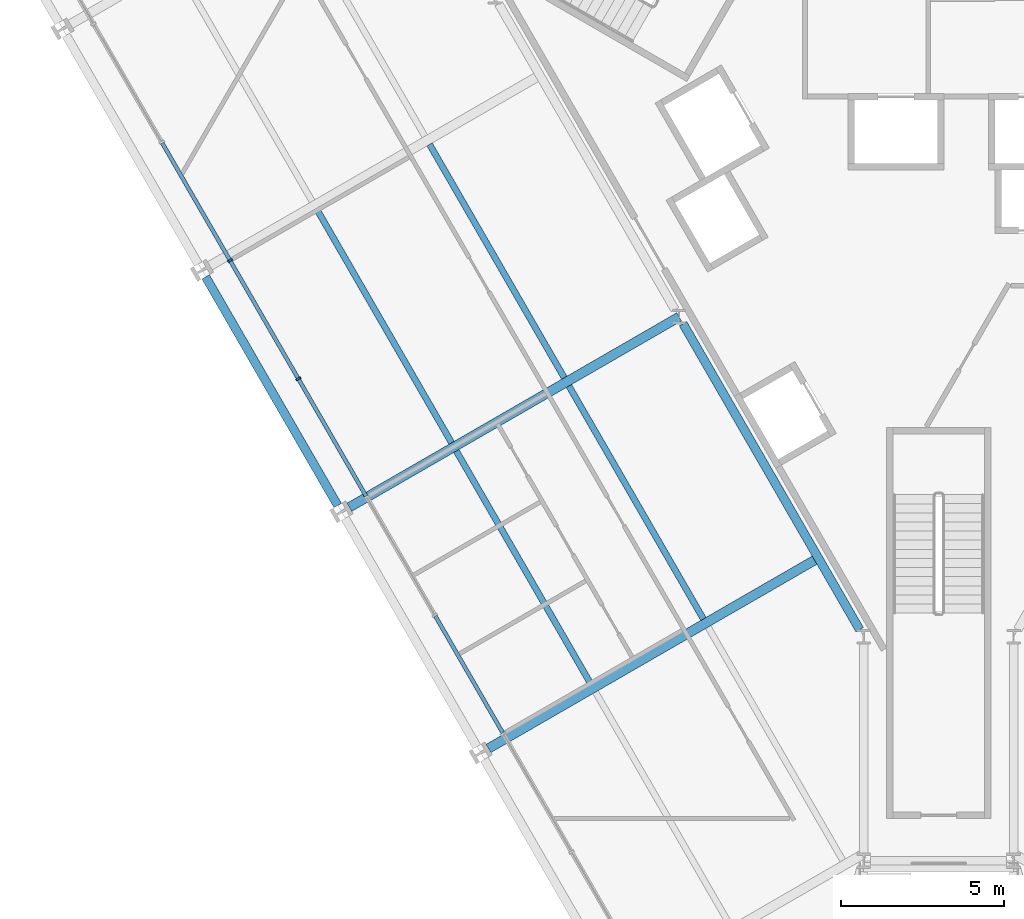
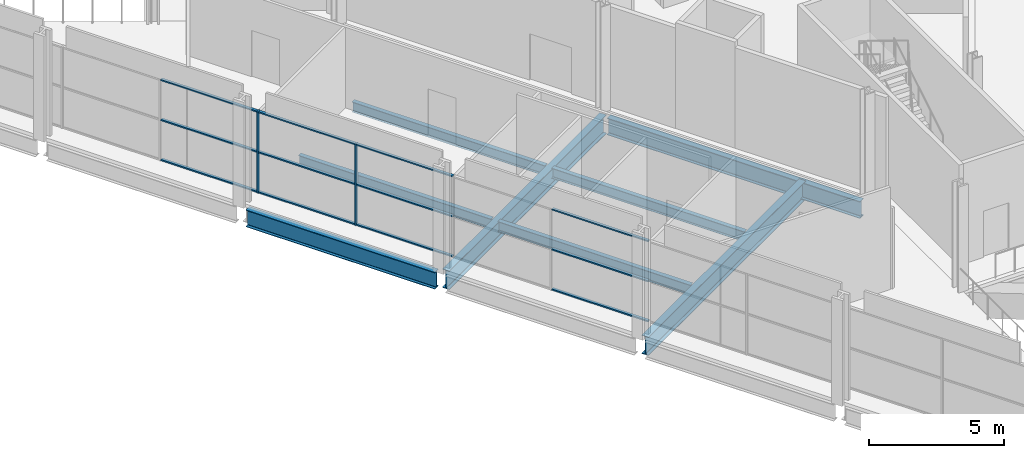
# One storey, part 3 of 18: 14 members, 8 beams, 1 element without a shape of its own.
"""IFC4 building model written with IfcOpenShell, lengths in metres."""

from ifc_helpers import new_model, si_unit, direction, frame, origin, origin_2d, place, context, subcontext, project, spatial, rectangle, i_section, extrude, material, layer, layer_set, material_profile, profile_set, type_object, element, aggregate, save


model = new_model("IFC4")

# Units and contexts
model_context = context("Model", 3, precision=1e-05, world=origin(), true_north=direction((0.0, 1.0)))
body_context = subcontext(model_context, "Body", "Model", "MODEL_VIEW")
ifc_project = project(units=[si_unit("LENGTHUNIT", "METRE"), si_unit("AREAUNIT", "SQUARE_METRE"), si_unit("VOLUMEUNIT", "CUBIC_METRE"), si_unit("PLANEANGLEUNIT", "RADIAN"), si_unit("MASSUNIT", "GRAM", prefix="KILO")], contexts=[model_context])

# Site, building, storey
site_placement = place(None, origin())
site = spatial("IfcSite", under=ifc_project, at=site_placement, CompositionType="ELEMENT")
building_placement = place(site_placement, origin())
building = spatial("IfcBuilding", under=site, at=building_placement, Name="Verrane Prism Tower", CompositionType="ELEMENT")
storey_placement = place(building_placement, frame((0.0, 0.0, 22.39990234375)))
storey = spatial("IfcBuildingStorey", under=building, at=storey_placement, Name="L03", CompositionType="ELEMENT", Elevation=22.39990234375)

# Curtain wall, members
ifc_material_1 = material(Name="Aluminium and glass curtain wall", Category="aluminium")
ifc_layer = layer(ifc_material_1, 0.199951171875)
ifc_layer_set = layer_set([ifc_layer], Name="CWB-1 retail curtain wall")
curtain_wall_type = type_object("IfcCurtainWallType", Name="CWB-1 retail curtain wall", PredefinedType="NOTDEFINED", material=ifc_layer_set)
curtain_wall_placement = place(storey_placement, origin())
curtain_wall = element("IfcCurtainWall", 1, at=curtain_wall_placement, inside=storey, type_object=curtain_wall_type, Name="Retail curtain wall L03 4", PredefinedType="NOTDEFINED")
ifc_material_2 = material(Name="Aluminium", Category="aluminium")
ifc_material_profile_1 = material_profile(ifc_material_2, rectangle(XDim=0.159912109375, YDim=0.06005859375, at=origin_2d()), Name="CWB-M 60x160 mullion")
ifc_profile_set_1 = profile_set([ifc_material_profile_1], Name="Aluminium")
member_type_1 = type_object("IfcMemberType", Name="CWB-M 60x160 mullion", PredefinedType="MULLION", material=ifc_profile_set_1)
member_1_placement = place(storey_placement, frame((-21.74560546875, -2.87548828125, 0.0), z_axis=(0.0, 0.0, 1.0), x_axis=(0.866025335097, 0.50000011897, 0.0)))
member_1 = element("IfcMember", 2, at=member_1_placement, type_object=member_type_1, Name="CWB34 mullion 5", PredefinedType="MULLION", context=body_context, shape_type="SweptSolid", body=[
    extrude(rectangle(XDim=0.159912109375, YDim=0.06005859375, at=origin_2d()), origin(), (0.0, 0.0, 1.0), 3.690185546875),
])
member_2_placement = place(storey_placement, frame((-19.64990234375, -6.505126953125, 0.0), z_axis=(0.0, 0.0, 1.0), x_axis=(0.866025335097, 0.50000011897, 0.0)))
member_2 = element("IfcMember", 3, at=member_2_placement, type_object=member_type_1, Name="CWB34 mullion 6", PredefinedType="MULLION", context=body_context, shape_type="SweptSolid", body=[
    extrude(rectangle(XDim=0.159912109375, YDim=0.06005859375, at=origin_2d()), origin(), (0.0, 0.0, 1.0), 3.690185546875),
])
ifc_material_3 = material(Name="Aluminium", Category="aluminium")
ifc_material_profile_2 = material_profile(ifc_material_3, rectangle(XDim=0.1201171875, YDim=0.06005859375, at=origin_2d()), Name="CWB-T 60x120 transom")
ifc_profile_set_2 = profile_set([ifc_material_profile_2], Name="Aluminium")
member_type_2 = type_object("IfcMemberType", Name="CWB-T 60x120 transom", PredefinedType="USERDEFINED", material=ifc_profile_set_2)
member_3_placement = place(storey_placement, frame((-23.826416015625, 0.728271484375, 0.030029296875), z_axis=(0.500022567122, -0.866012374259, 0.0), x_axis=(0.866012374259, 0.500022567122, 0.0)))
member_3 = element("IfcMember", 4, at=member_3_placement, type_object=member_type_2, Name="CWB34 transom 4.1", ObjectType="TRANSOM", PredefinedType="USERDEFINED", context=body_context, shape_type="SweptSolid", body=[
    extrude(rectangle(XDim=0.1201171875, YDim=0.06005859375, at=origin_2d()), origin(), (0.0, 0.0, 1.0), 4.131103515625),
])
member_4_placement = place(storey_placement, frame((-23.826416015625, 0.728271484375, 1.84521484375), z_axis=(0.500022567122, -0.866012374259, 0.0), x_axis=(0.866012374259, 0.500022567122, 0.0)))
member_4 = element("IfcMember", 5, at=member_4_placement, type_object=member_type_2, Name="CWB34 transom 4.2", ObjectType="TRANSOM", PredefinedType="USERDEFINED", context=body_context, shape_type="SweptSolid", body=[
    extrude(rectangle(XDim=0.1201171875, YDim=0.06005859375, at=origin_2d()), origin(), (0.0, 0.0, 1.0), 4.131103515625),
])
member_5_placement = place(storey_placement, frame((-23.826416015625, 0.728271484375, 3.66015625), z_axis=(0.500022567122, -0.866012374259, 0.0), x_axis=(0.866012374259, 0.500022567122, 0.0)))
member_5 = element("IfcMember", 6, at=member_5_placement, type_object=member_type_2, Name="CWB34 transom 4.3", ObjectType="TRANSOM", PredefinedType="USERDEFINED", context=body_context, shape_type="SweptSolid", body=[
    extrude(rectangle(XDim=0.1201171875, YDim=0.06005859375, at=origin_2d()), origin(), (0.0, 0.0, 1.0), 4.131103515625),
])
member_6_placement = place(storey_placement, frame((-21.730712890625, -2.9013671875, 0.030029296875), z_axis=(0.499996977546, -0.866027148792, 0.0), x_axis=(0.866027148792, 0.499996977546, 0.0)))
member_6 = element("IfcMember", 7, at=member_6_placement, type_object=member_type_2, Name="CWB34 transom 5.1", ObjectType="TRANSOM", PredefinedType="USERDEFINED", context=body_context, shape_type="SweptSolid", body=[
    extrude(rectangle(XDim=0.1201171875, YDim=0.06005859375, at=origin_2d()), origin(), (0.0, 0.0, 1.0), 4.13134765625),
])
member_7_placement = place(storey_placement, frame((-21.730712890625, -2.9013671875, 1.84521484375), z_axis=(0.499996977546, -0.866027148792, 0.0), x_axis=(0.866027148792, 0.499996977546, 0.0)))
member_7 = element("IfcMember", 8, at=member_7_placement, type_object=member_type_2, Name="CWB34 transom 5.2", ObjectType="TRANSOM", PredefinedType="USERDEFINED", context=body_context, shape_type="SweptSolid", body=[
    extrude(rectangle(XDim=0.1201171875, YDim=0.06005859375, at=origin_2d()), origin(), (0.0, 0.0, 1.0), 4.13134765625),
])
member_8_placement = place(storey_placement, frame((-21.730712890625, -2.9013671875, 3.66015625), z_axis=(0.499996977546, -0.866027148792, 0.0), x_axis=(0.866027148792, 0.499996977546, 0.0)))
member_8 = element("IfcMember", 9, at=member_8_placement, type_object=member_type_2, Name="CWB34 transom 5.3", ObjectType="TRANSOM", PredefinedType="USERDEFINED", context=body_context, shape_type="SweptSolid", body=[
    extrude(rectangle(XDim=0.1201171875, YDim=0.06005859375, at=origin_2d()), origin(), (0.0, 0.0, 1.0), 4.13134765625),
])
member_9_placement = place(storey_placement, frame((-19.635009765625, -6.53125, 0.030029296875), z_axis=(0.499996977546, -0.866027148792, 0.0), x_axis=(0.866027148792, 0.499996977546, 0.0)))
member_9 = element("IfcMember", 10, at=member_9_placement, type_object=member_type_2, Name="CWB34 transom 6.1", ObjectType="TRANSOM", PredefinedType="USERDEFINED", context=body_context, shape_type="SweptSolid", body=[
    extrude(rectangle(XDim=0.1201171875, YDim=0.06005859375, at=origin_2d()), origin(), (0.0, 0.0, 1.0), 4.13134765625),
])
member_10_placement = place(storey_placement, frame((-19.635009765625, -6.53125, 1.84521484375), z_axis=(0.499996977546, -0.866027148792, 0.0), x_axis=(0.866027148792, 0.499996977546, 0.0)))
member_10 = element("IfcMember", 11, at=member_10_placement, type_object=member_type_2, Name="CWB34 transom 6.2", ObjectType="TRANSOM", PredefinedType="USERDEFINED", context=body_context, shape_type="SweptSolid", body=[
    extrude(rectangle(XDim=0.1201171875, YDim=0.06005859375, at=origin_2d()), origin(), (0.0, 0.0, 1.0), 4.13134765625),
])
member_11_placement = place(storey_placement, frame((-19.635009765625, -6.53125, 3.66015625), z_axis=(0.499996977546, -0.866027148792, 0.0), x_axis=(0.866027148792, 0.499996977546, 0.0)))
member_11 = element("IfcMember", 12, at=member_11_placement, type_object=member_type_2, Name="CWB34 transom 6.3", ObjectType="TRANSOM", PredefinedType="USERDEFINED", context=body_context, shape_type="SweptSolid", body=[
    extrude(rectangle(XDim=0.1201171875, YDim=0.06005859375, at=origin_2d()), origin(), (0.0, 0.0, 1.0), 4.13134765625),
])
member_12_placement = place(storey_placement, frame((-15.443603515625, -13.790771484375, 0.030029296875), z_axis=(0.499996977546, -0.866027148792, 0.0), x_axis=(0.866027148792, 0.499996977546, 0.0)))
member_12 = element("IfcMember", 13, at=member_12_placement, type_object=member_type_2, Name="CWB34 transom 8.1", ObjectType="TRANSOM", PredefinedType="USERDEFINED", context=body_context, shape_type="SweptSolid", body=[
    extrude(rectangle(XDim=0.1201171875, YDim=0.06005859375, at=origin_2d()), origin(), (0.0, 0.0, 1.0), 4.13134765625),
])
member_13_placement = place(storey_placement, frame((-15.443603515625, -13.790771484375, 1.84521484375), z_axis=(0.499996977546, -0.866027148792, 0.0), x_axis=(0.866027148792, 0.499996977546, 0.0)))
member_13 = element("IfcMember", 14, at=member_13_placement, type_object=member_type_2, Name="CWB34 transom 8.2", ObjectType="TRANSOM", PredefinedType="USERDEFINED", context=body_context, shape_type="SweptSolid", body=[
    extrude(rectangle(XDim=0.1201171875, YDim=0.06005859375, at=origin_2d()), origin(), (0.0, 0.0, 1.0), 4.13134765625),
])
member_14_placement = place(storey_placement, frame((-15.443603515625, -13.790771484375, 3.66015625), z_axis=(0.499996977546, -0.866027148792, 0.0), x_axis=(0.866027148792, 0.499996977546, 0.0)))
member_14 = element("IfcMember", 15, at=member_14_placement, type_object=member_type_2, Name="CWB34 transom 8.3", ObjectType="TRANSOM", PredefinedType="USERDEFINED", context=body_context, shape_type="SweptSolid", body=[
    extrude(rectangle(XDim=0.1201171875, YDim=0.06005859375, at=origin_2d()), origin(), (0.0, 0.0, 1.0), 4.13134765625),
])
aggregate(curtain_wall, [member_1, member_2, member_3, member_4, member_5, member_6, member_7, member_8, member_9, member_10, member_11, member_12, member_13, member_14])

# Beams
ifc_material_4 = material(Name="Steel A992", Category="steel")
ifc_material_profile_3 = material_profile(ifc_material_4, i_section(OverallWidth=0.2666015625, OverallDepth=0.76708984375, WebThickness=0.014892578125, FlangeThickness=0.023681640625, FilletRadius=0.0166015625, at=origin_2d()), Name="W30x124")
ifc_profile_set_3 = profile_set([ifc_material_profile_3], Name="Steel A992")
beam_type_1 = type_object("IfcBeamType", Name="Core ring girder W30x124", PredefinedType="BEAM", material=ifc_profile_set_3)
beam_1_placement = place(storey_placement, frame((-7.844482421875, -4.817138671875, -0.63330078125), z_axis=(0.500022744667, -0.866012271747, 0.0), x_axis=(0.866012271747, 0.500022744667, 0.0)))
element("IfcBeam", 16, at=beam_1_placement, inside=storey, type_object=beam_type_1, Name="Core ring girder L03", PredefinedType="BEAM", context=body_context, shape_type="SweptSolid", body=[
    extrude(i_section(OverallWidth=0.2666015625, OverallDepth=0.76708984375, WebThickness=0.014892578125, FlangeThickness=0.023681640625, FilletRadius=0.0166015625, at=origin_2d()), origin(), (0.0, 0.0, 1.0), 10.837890625),
])
ifc_material_5 = material(Name="Steel A992", Category="steel")
ifc_material_profile_4 = material_profile(ifc_material_5, i_section(OverallWidth=0.1904296875, OverallDepth=0.457275390625, WebThickness=0.009033203125, FlangeThickness=0.014404296875, FilletRadius=0.01025390625, at=origin_2d()), Name="W18x50")
ifc_profile_set_4 = profile_set([ifc_material_profile_4], Name="Steel A992")
beam_type_2 = type_object("IfcBeamType", Name="Floor beam W18x50", PredefinedType="BEAM", material=ifc_profile_set_4)
beam_2_placement = place(storey_placement, frame((-11.48974609375, -6.47314453125, -0.388427734375), z_axis=(-0.500010437756, 0.866019377459, 0.0), x_axis=(-0.866019377459, -0.500010437756, 0.0)))
element("IfcBeam", 17, at=beam_2_placement, inside=storey, type_object=beam_type_2, Name="Floor beam L03", PredefinedType="BEAM", context=body_context, shape_type="SweptSolid", body=[
    extrude(i_section(OverallWidth=0.1904296875, OverallDepth=0.457275390625, WebThickness=0.009033203125, FlangeThickness=0.014404296875, FilletRadius=0.01025390625, at=origin_2d()), origin(), (0.0, 0.0, 1.0), 8.267822265625),
])
beam_3_placement = place(storey_placement, frame((-14.947021484375, -8.46875, -0.388427734375), z_axis=(-0.500007931068, 0.866020824732, 0.0), x_axis=(-0.866020824732, -0.500007931068, 0.0)))
element("IfcBeam", 18, at=beam_3_placement, inside=storey, type_object=beam_type_2, Name="Floor beam L03", PredefinedType="BEAM", context=body_context, shape_type="SweptSolid", body=[
    extrude(i_section(OverallWidth=0.1904296875, OverallDepth=0.457275390625, WebThickness=0.009033203125, FlangeThickness=0.014404296875, FilletRadius=0.01025390625, at=origin_2d()), origin(), (0.0, 0.0, 1.0), 8.266357421875),
])
beam_4_placement = place(storey_placement, frame((-7.2197265625, -13.876953125, -0.388427734375), z_axis=(-0.499987846292, 0.866032420617, 0.0), x_axis=(-0.866032420617, -0.499987846292, 0.0)))
element("IfcBeam", 19, at=beam_4_placement, inside=storey, type_object=beam_type_2, Name="Floor beam L03", PredefinedType="BEAM", context=body_context, shape_type="SweptSolid", body=[
    extrude(i_section(OverallWidth=0.1904296875, OverallDepth=0.457275390625, WebThickness=0.009033203125, FlangeThickness=0.014404296875, FilletRadius=0.01025390625, at=origin_2d()), origin(), (0.0, 0.0, 1.0), 8.255126953125),
])
beam_5_placement = place(storey_placement, frame((-10.67626953125, -15.8701171875, -0.388427734375), z_axis=(-0.500010949126, 0.866019082211, 0.0), x_axis=(-0.866019082211, -0.500010949126, 0.0)))
element("IfcBeam", 20, at=beam_5_placement, inside=storey, type_object=beam_type_2, Name="Floor beam L03", PredefinedType="BEAM", context=body_context, shape_type="SweptSolid", body=[
    extrude(i_section(OverallWidth=0.1904296875, OverallDepth=0.457275390625, WebThickness=0.009033203125, FlangeThickness=0.014404296875, FilletRadius=0.01025390625, at=origin_2d()), origin(), (0.0, 0.0, 1.0), 8.253173828125),
])
ifc_material_6 = material(Name="Steel A992", Category="steel")
ifc_material_profile_5 = material_profile(ifc_material_6, i_section(OverallWidth=0.2919921875, OverallDepth=0.845703125, WebThickness=0.015380859375, FlangeThickness=0.0244140625, FilletRadius=0.017822265625, at=origin_2d()), Name="W33x141")
ifc_profile_set_5 = profile_set([ifc_material_profile_5], Name="Steel A992")
beam_type_3 = type_object("IfcBeamType", Name="Radial girder W33x141", PredefinedType="BEAM", material=ifc_profile_set_5)
beam_6_placement = place(storey_placement, frame((-18.08349609375, -10.44775390625, -0.642822265625), z_axis=(0.866019930389, 0.500009480079, 0.0), x_axis=(-0.500009480079, 0.866019930389, 0.0)))
element("IfcBeam", 21, at=beam_6_placement, inside=storey, type_object=beam_type_3, Name="Radial girder L03", PredefinedType="BEAM", context=body_context, shape_type="SweptSolid", body=[
    extrude(i_section(OverallWidth=0.2919921875, OverallDepth=0.845703125, WebThickness=0.015380859375, FlangeThickness=0.0244140625, FilletRadius=0.017822265625, at=origin_2d()), origin(), (0.0, 0.0, 1.0), 11.682373046875),
])
beam_7_placement = place(storey_placement, frame((-13.813720703125, -17.847900390625, -0.642822265625), z_axis=(0.866026929639, 0.499997357134, 0.0), x_axis=(-0.499997357134, 0.866026929639, 0.0)))
element("IfcBeam", 22, at=beam_7_placement, inside=storey, type_object=beam_type_3, Name="Radial girder L03", PredefinedType="BEAM", context=body_context, shape_type="SweptSolid", body=[
    extrude(i_section(OverallWidth=0.2919921875, OverallDepth=0.845703125, WebThickness=0.015380859375, FlangeThickness=0.0244140625, FilletRadius=0.017822265625, at=origin_2d()), origin(), (0.0, 0.0, 1.0), 11.68505859375),
])
ifc_material_7 = material(Name="Steel A992", Category="steel")
ifc_material_profile_6 = material_profile(ifc_material_7, i_section(OverallWidth=0.2666015625, OverallDepth=0.76708984375, WebThickness=0.014892578125, FlangeThickness=0.023681640625, FilletRadius=0.0166015625, at=origin_2d()), Name="W30x124")
ifc_profile_set_6 = profile_set([ifc_material_profile_6], Name="Steel A992")
beam_type_4 = type_object("IfcBeamType", Name="Spandrel beam W30x124", PredefinedType="SPANDREL", material=ifc_profile_set_6)
beam_8_placement = place(storey_placement, frame((-22.496337890625, -3.376953125, -0.54345703125), z_axis=(0.500183217764, -0.865919597115, 0.0), x_axis=(0.865919597115, 0.500183217764, 0.0)))
element("IfcBeam", 23, at=beam_8_placement, inside=storey, type_object=beam_type_4, Name="Spandrel beam L03", PredefinedType="SPANDREL", context=body_context, shape_type="SweptSolid", body=[
    extrude(i_section(OverallWidth=0.2666015625, OverallDepth=0.76708984375, WebThickness=0.014892578125, FlangeThickness=0.023681640625, FilletRadius=0.0166015625, at=origin_2d()), origin(), (0.0, 0.0, 1.0), 8.1025390625),
])

save(model, "model.ifc")
